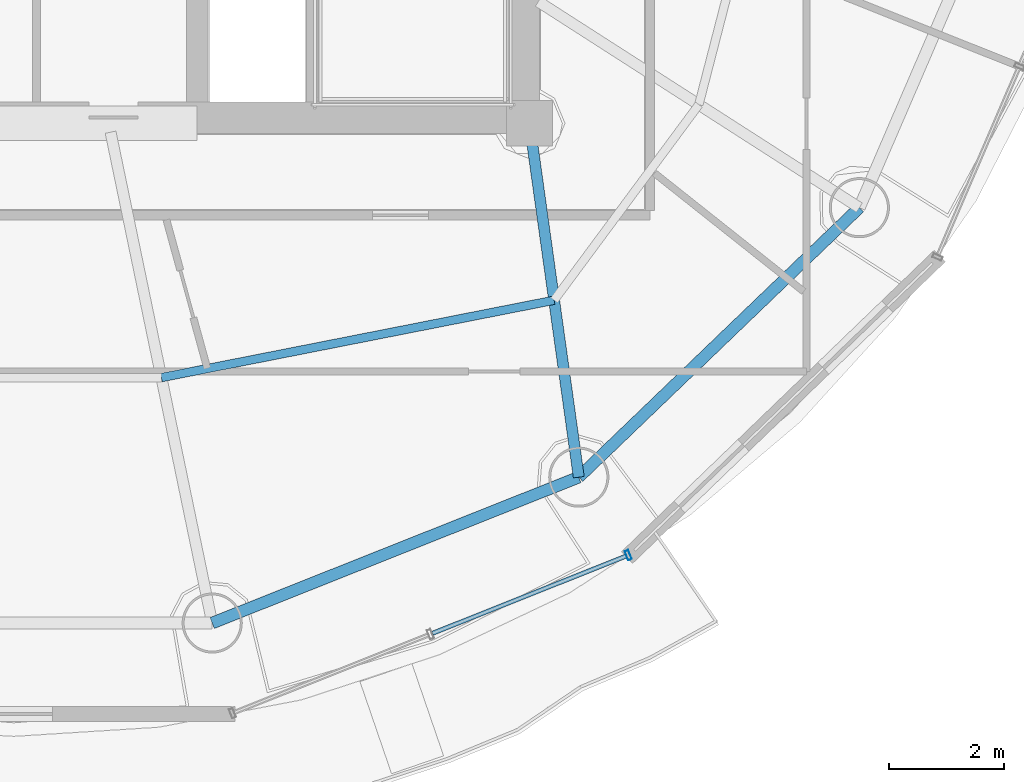
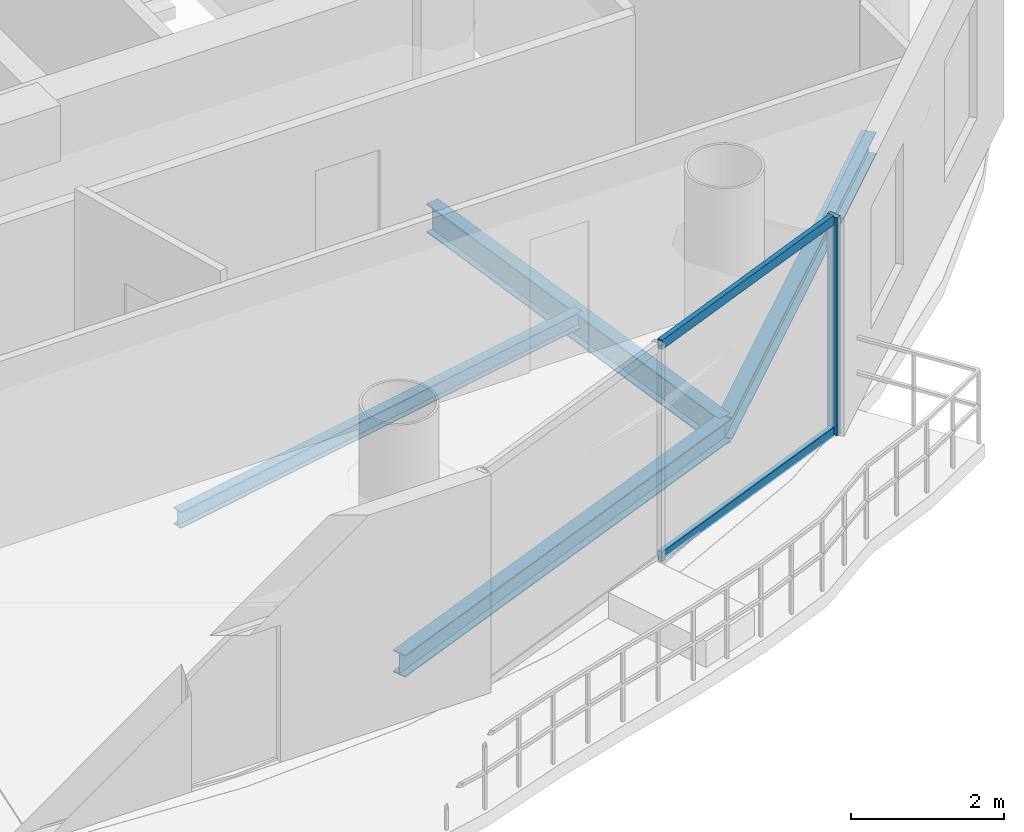
# One storey, part 5 of 21: 4 beams, 3 members, 1 element without a shape of its own.
"""IFC4 building model written with IfcOpenShell, lengths in metres."""

from ifc_helpers import new_model, si_unit, direction, frame, origin, origin_2d, place, context, subcontext, project, spatial, hollow_rectangle, i_section, extrude, source, transform, mapped, material, material_profile, profile_set, type_object, element, aggregate, save


model = new_model("IFC4")

# Units and contexts
model_context = context("Model", 3, precision=1e-05, world=origin(), true_north=direction((-0.2419218956, 0.970295726276)))
body_context = subcontext(model_context, "Body", "Model", "MODEL_VIEW")
ifc_project = project(units=[si_unit("LENGTHUNIT", "METRE"), si_unit("AREAUNIT", "SQUARE_METRE"), si_unit("VOLUMEUNIT", "CUBIC_METRE"), si_unit("PLANEANGLEUNIT", "RADIAN"), si_unit("MASSUNIT", "GRAM", prefix="KILO")], contexts=[model_context])

# Site, building, storey
site_placement = place(None, origin())
site = spatial("IfcSite", under=ifc_project, at=site_placement, CompositionType="ELEMENT")
building_placement = place(site_placement, origin())
building = spatial("IfcBuilding", under=site, at=building_placement, Name="Cobrevalo Terracotta Tower", CompositionType="ELEMENT")
storey_placement = place(building_placement, frame((0.0, 0.0, 285.699951171875)))
storey = spatial("IfcBuildingStorey", under=building, at=storey_placement, Name="L75", CompositionType="ELEMENT", Elevation=285.699951171875)

# Beams
ifc_material_1 = material(Name="Steel S355", Category="steel")
ifc_material_profile_1 = material_profile(ifc_material_1, i_section(OverallWidth=0.19091796875, OverallDepth=0.4599609375, WebThickness=0.010009765625, FlangeThickness=0.01611328125, at=origin_2d()), Name="W 460x82")
ifc_profile_set_1 = profile_set([ifc_material_profile_1], Name="Steel S355")
beam_type_1 = type_object("IfcBeamType", Name="Structural Beam W 460x82 (Steel S355)", PredefinedType="BEAM", material=ifc_profile_set_1)
beam_1_placement = place(storey_placement, frame((47.861328125, 12.62353515625, -0.489990234375), z_axis=(-0.138115657759, 0.990416107039, 0.0), x_axis=(-0.990416107039, -0.138115657759, 0.0)))
element("IfcBeam", 1, at=beam_1_placement, inside=storey, type_object=beam_type_1, Name="L75 radial floor girder 14", PredefinedType="BEAM", context=body_context, shape_type="SweptSolid", body=[
    extrude(i_section(OverallWidth=0.19091796875, OverallDepth=0.4599609375, WebThickness=0.010009765625, FlangeThickness=0.01611328125, at=origin_2d()), origin(), (0.0, 0.0, 1.0), 6.236328125),
])
ifc_material_profile_2 = material_profile(ifc_material_1, i_section(OverallWidth=0.14794921875, OverallDepth=0.26611328125, WebThickness=0.007568359375, FlangeThickness=0.012939453125, at=origin_2d()), Name="W 250x44.8")
ifc_profile_set_2 = profile_set([ifc_material_profile_2], Name="Steel S355")
beam_type_2 = type_object("IfcBeamType", Name="Structural Joist W 250x44.8 (Steel S355)", PredefinedType="JOIST", material=ifc_profile_set_2)
beam_2_placement = place(storey_placement, frame((40.57568359375, 14.361328125, -0.39306640625), z_axis=(0.981145060421, 0.193272787563, 0.0), x_axis=(-0.193272787563, 0.981145060421, 0.0)))
element("IfcBeam", 2, at=beam_2_placement, inside=storey, type_object=beam_type_2, Name="L75 circumferential secondary floor joist 13", PredefinedType="JOIST", context=body_context, shape_type="SweptSolid", body=[
    extrude(i_section(OverallWidth=0.14794921875, OverallDepth=0.26611328125, WebThickness=0.007568359375, FlangeThickness=0.012939453125, at=origin_2d()), origin(), (0.0, 0.0, 1.0), 6.98681640625),
])
ifc_material_profile_3 = material_profile(ifc_material_1, i_section(OverallWidth=0.205078125, OverallDepth=0.35400390625, WebThickness=0.009521484375, FlangeThickness=0.016845703125, at=origin_2d()), Name="W 360x79")
ifc_profile_set_3 = profile_set([ifc_material_profile_3], Name="Steel S355")
beam_type_3 = type_object("IfcBeamType", Name="Structural Spandrel W 360x79 (Steel S355)", PredefinedType="SPANDREL", material=ifc_profile_set_3)
beam_3_placement = place(storey_placement, frame((41.462890625, 10.07763671875, -0.43701171875), z_axis=(0.929149986048, 0.369702993533, 0.0), x_axis=(-0.369702993533, 0.929149986048, 0.0)))
element("IfcBeam", 3, at=beam_3_placement, inside=storey, type_object=beam_type_3, Name="L75 perimeter ring spandrel 13", PredefinedType="SPANDREL", context=body_context, shape_type="SweptSolid", body=[
    extrude(i_section(OverallWidth=0.205078125, OverallDepth=0.35400390625, WebThickness=0.009521484375, FlangeThickness=0.016845703125, at=origin_2d()), origin(), (0.0, 0.0, 1.0), 6.88623046875),
])
beam_4_placement = place(storey_placement, frame((47.861328125, 12.62353515625, -0.43701171875), z_axis=(0.721183246144, 0.692744343522, 0.0), x_axis=(-0.692744343522, 0.721183246144, 0.0)))
element("IfcBeam", 4, at=beam_4_placement, inside=storey, type_object=beam_type_3, Name="L75 perimeter ring spandrel 14", PredefinedType="SPANDREL", context=body_context, shape_type="SweptSolid", body=[
    extrude(i_section(OverallWidth=0.205078125, OverallDepth=0.35400390625, WebThickness=0.009521484375, FlangeThickness=0.016845703125, at=origin_2d()), origin(), (0.0, 0.0, 1.0), 6.79052734375),
])

# Curtain wall, members
ifc_material_2 = material(Name="Anodized aluminium", Category="aluminium")
curtain_wall_type = type_object("IfcCurtainWallType", Name="Upper-tower triple-glazed penthouse curtain wall CW-U3", PredefinedType="NOTDEFINED", material=ifc_material_2)
curtain_wall_placement = place(storey_placement, origin())
curtain_wall = element("IfcCurtainWall", 5, at=curtain_wall_placement, inside=storey, type_object=curtain_wall_type, Name="L75 curtain wall CW-L75-S13", PredefinedType="NOTDEFINED")
ifc_material_profile_4 = material_profile(ifc_material_2, hollow_rectangle(XDim=0.070068359375, YDim=0.169921875, WallThickness=0.00439453125, at=origin_2d()), Name="CWM 70x170")
ifc_profile_set_4 = profile_set([ifc_material_profile_4], Name="Anodized aluminium")
member_type_1 = type_object("IfcMemberType", Name="Upper tower unitised mullion 70x170", PredefinedType="MULLION", material=ifc_profile_set_4)
shared_shape_1 = source(origin(), body_context, "Body", "SweptSolid", [
    extrude(hollow_rectangle(XDim=0.070068359375, YDim=0.169921875, WallThickness=0.00439453125, at=origin_2d()), origin(), (0.0, 0.0, 1.0), 3.489990234375),
])
member_1_placement = place(storey_placement, frame((48.724365234375, 11.26171875, 0.0), z_axis=(0.0, 0.0, 1.0), x_axis=(0.928718980883, 0.370784377433, 0.0)))
member_1 = element("IfcMember", 6, at=member_1_placement, type_object=member_type_1, Name="CW-L75-S13 vertical mullion 03", PredefinedType="MULLION", context=body_context, shape_type="MappedRepresentation", body=[
    mapped(shared_shape_1, transform((0.0, 0.0, 0.0), scale=1.0)),
])
ifc_material_profile_5 = material_profile(ifc_material_2, hollow_rectangle(XDim=0.074951171875, YDim=0.14990234375, WallThickness=0.00439453125, at=origin_2d()), Name="CWT 75x150")
ifc_profile_set_5 = profile_set([ifc_material_profile_5], Name="Anodized aluminium")
member_type_2 = type_object("IfcMemberType", Name="Tower unitised aluminium transom 75x150", PredefinedType="USERDEFINED", material=ifc_profile_set_5)
shared_shape_2 = source(origin(), body_context, "Body", "SweptSolid", [
    extrude(hollow_rectangle(XDim=0.074951171875, YDim=0.14990234375, WallThickness=0.00439453125, at=origin_2d()), origin(), (0.0, 0.0, 1.0), 3.63916015625),
])
member_2_placement = place(storey_placement, frame((45.307373046875, 9.8974609375, 0.050048828125), z_axis=(0.928712471544, 0.370800681227, 0.0), x_axis=(-0.370800681227, 0.928712471544, 0.0)))
member_2 = element("IfcMember", 7, at=member_2_placement, type_object=member_type_2, Name="CW-L75-S13 transom B02-T1", ObjectType="TRANSOM", PredefinedType="USERDEFINED", context=body_context, shape_type="MappedRepresentation", body=[
    mapped(shared_shape_2, transform((0.0, 0.0, 0.0), scale=1.0)),
])
member_3_placement = place(storey_placement, frame((45.307373046875, 9.8974609375, 3.43994140625), z_axis=(0.928712471544, 0.370800681227, 0.0), x_axis=(-0.370800681227, 0.928712471544, 0.0)))
member_3 = element("IfcMember", 8, at=member_3_placement, type_object=member_type_2, Name="CW-L75-S13 transom B02-T2", ObjectType="TRANSOM", PredefinedType="USERDEFINED", context=body_context, shape_type="MappedRepresentation", body=[
    mapped(shared_shape_2, transform((0.0, 0.0, 0.0), scale=1.0)),
])
aggregate(curtain_wall, [member_1, member_2, member_3])

save(model, "model.ifc")
